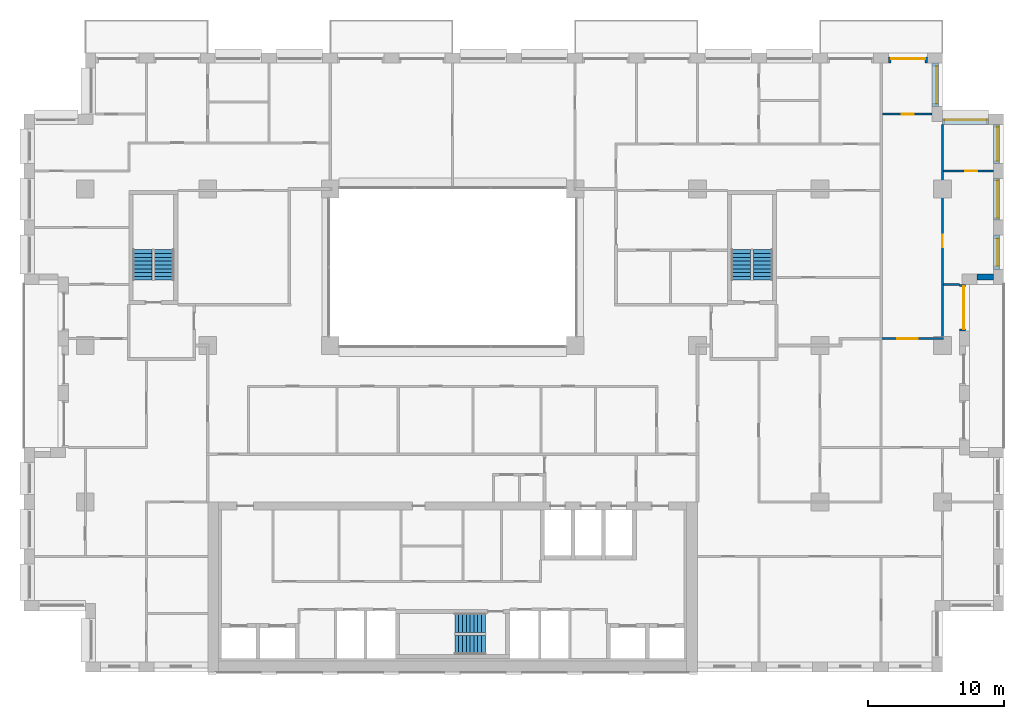
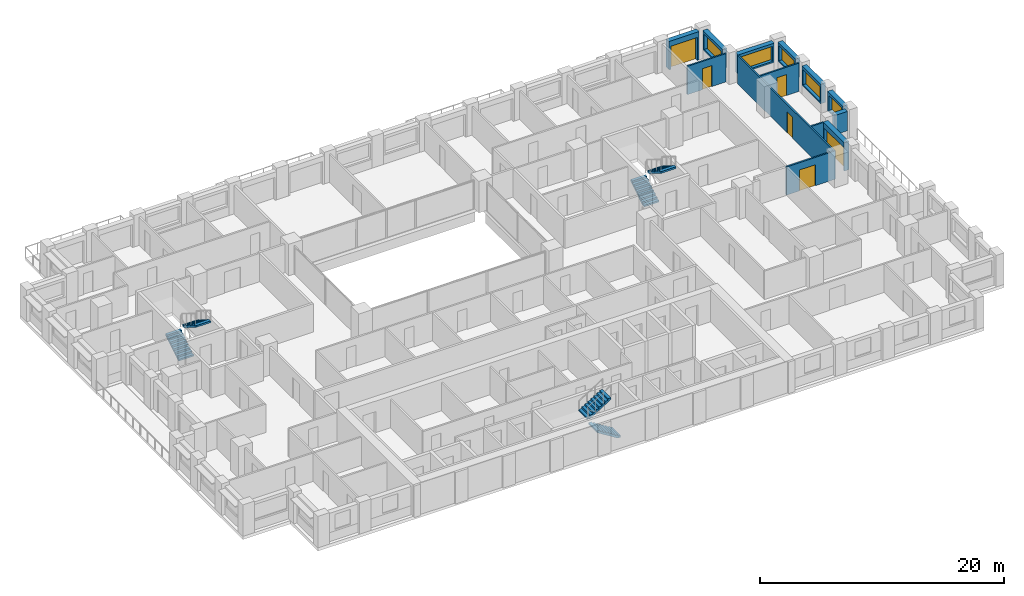
# One storey, part 15 of 16: 13 walls, 6 doors, 6 stair flights, 5 windows, 11 openings, 3 elements without a shape of their own.
"""IFC4 building model written with IfcOpenShell, lengths in metres."""

from ifc_helpers import new_model, si_unit, direction, frame, frame_2d, origin, place, context, subcontext, project, spatial, polyline, rectangle, outline, extrude, material, layer, layer_set, type_object, element, fill, aggregate, save


model = new_model("IFC4")

# Units and contexts
model_context = context("Model", 3, precision=1e-05, world=origin(), true_north=direction((0.0, 1.0)))
body_context = subcontext(model_context, "Body", "Model", "MODEL_VIEW")
ifc_project = project(units=[si_unit("LENGTHUNIT", "METRE"), si_unit("AREAUNIT", "SQUARE_METRE"), si_unit("VOLUMEUNIT", "CUBIC_METRE"), si_unit("PLANEANGLEUNIT", "RADIAN"), si_unit("MASSUNIT", "GRAM", prefix="KILO")], contexts=[model_context])

# Site, building, storey
site_placement = place(None, origin())
site = spatial("IfcSite", under=ifc_project, at=site_placement, CompositionType="ELEMENT")
building_placement = place(site_placement, origin())
building = spatial("IfcBuilding", under=site, at=building_placement, Name="Brigalow Station Residences", CompositionType="ELEMENT")
storey_placement = place(building_placement, frame((0.0, 0.0, 86.699951171875)))
storey = spatial("IfcBuildingStorey", under=building, at=storey_placement, Name="L24", CompositionType="ELEMENT", Elevation=86.699951171875)

# Wall, opening, door
ifc_material_1 = material(Name="Clay brick masonry", Category="masonry")
ifc_layer_1 = layer(ifc_material_1, 0.449951171875)
ifc_layer_set_1 = layer_set([ifc_layer_1], Name="BRICK INFILL WALL 450")
wall_type_1 = type_object("IfcWallType", Name="BRICK INFILL WALL 450", PredefinedType="SOLIDWALL", material=ifc_layer_set_1)
wall_1_placement = place(storey_placement, frame((73.47509765625, 25.050048828125, 0.0), z_axis=(0.0, 0.0, 1.0), x_axis=(0.0, 1.0, 0.0)))
wall_1 = element("IfcWall", 1, at=wall_1_placement, inside=storey, type_object=wall_type_1, Name="L24/ewall/W-L24-16", PredefinedType="SOLIDWALL", context=body_context, shape_type="SweptSolid", body=[
    extrude(rectangle(XDim=3.449951171875, YDim=0.449951171875, at=frame_2d((1.72509765625, 0.0))), origin(), (0.0, 0.0, 1.0), 2.830078125),
])
opening_1_placement = place(wall_1_placement, frame((0.14990234375, 0.0, 0.0)))
opening_1 = element("IfcOpeningElement", 2, at=opening_1_placement, cuts=wall_1, Name="Opening D-B3150", PredefinedType="OPENING", context=body_context, shape_type="SweptSolid", body=[
    extrude(rectangle(XDim=3.14990234375, YDim=2.300048828125, at=frame_2d((1.574951171875, 1.14990234375))), frame((0.0, 0.23486328125, 0.0), z_axis=(0.0, -1.0, 0.0), x_axis=(1.0, 0.0, 0.0)), (0.0, 0.0, 1.0), 0.469970703125),
])
ifc_material_2 = material(Name="Anodised aluminium frame with double glazing", Category="aluminium")
door_type_1 = type_object("IfcDoorType", Name="BALCONY SLIDING DOOR 3150x2300", OperationType="SLIDING_TO_LEFT", PredefinedType="DOOR", material=ifc_material_2)
door_1_placement = place(opening_1_placement, origin())
door_1 = element("IfcDoor", 3, at=door_1_placement, inside=storey, type_object=door_type_1, Name="L24/balcony-door/W-L24-16", OperationType="SLIDING_TO_LEFT", OverallHeight=2.300048828125, OverallWidth=3.14990234375, PredefinedType="DOOR", context=body_context, shape_type="SweptSolid", body=[
    extrude(rectangle(XDim=3.14990234375, YDim=2.300048828125, at=frame_2d((1.574951171875, 1.14990234375))), frame((0.0, -0.06982421875, 0.0), z_axis=(0.0, -1.0, 0.0), x_axis=(1.0, 0.0, 0.0)), (0.0, 0.0, 1.0), 0.050048828125),
])
fill(opening_1, door_1)

# Wall
wall_2_placement = place(storey_placement, frame((74.550048828125, 29.02490234375, 0.900146484375), z_axis=(0.0, 0.0, 1.0), x_axis=(1.0, 0.0, 0.0)))
element("IfcWall", 4, at=wall_2_placement, inside=storey, type_object=wall_type_1, Name="L24/ewall/W-L24-17", PredefinedType="SOLIDWALL", context=body_context, shape_type="SweptSolid", body=[
    extrude(rectangle(XDim=1.199951171875, YDim=0.449951171875, at=frame_2d((0.60009765625, 0.0))), origin(), (0.0, 0.0, 1.0), 1.929931640625),
])

# Wall, opening, window
wall_3_placement = place(storey_placement, frame((75.97509765625, 29.60009765625, 0.900146484375), z_axis=(0.0, 0.0, 1.0), x_axis=(0.0, 1.0, 0.0)))
wall_3 = element("IfcWall", 5, at=wall_3_placement, inside=storey, type_object=wall_type_1, Name="L24/ewall/W-L24-18", PredefinedType="SOLIDWALL", context=body_context, shape_type="SweptSolid", body=[
    extrude(rectangle(XDim=2.516845703125, YDim=0.449951171875, at=frame_2d((1.25830078125, 0.0))), origin(), (0.0, 0.0, 1.0), 1.929931640625),
])
opening_2_placement = place(wall_3_placement, frame((0.258544921875, 0.0, 0.14990234375)))
opening_2 = element("IfcOpeningElement", 6, at=opening_2_placement, cuts=wall_3, Name="Opening WT-7", PredefinedType="OPENING", context=body_context, shape_type="SweptSolid", body=[
    extrude(rectangle(XDim=2.0, YDim=1.5, at=frame_2d((1.0, 0.75))), frame((0.0, 0.23486328125, 0.0), z_axis=(0.0, -1.0, 0.0), x_axis=(1.0, 0.0, 0.0)), (0.0, 0.0, 1.0), 0.469970703125),
])
ifc_material_3 = material(Name="Anodised aluminium frame with double glazing", Category="aluminium")
window_type_1 = type_object("IfcWindowType", Name="WINDOW 2000x1500", PartitioningType="SINGLE_PANEL", PredefinedType="WINDOW", material=ifc_material_3)
window_1_placement = place(opening_2_placement, origin())
window_1 = element("IfcWindow", 7, at=window_1_placement, inside=storey, type_object=window_type_1, Name="L24/window/W-L24-18", OverallHeight=1.5, OverallWidth=2.0, PartitioningType="SINGLE_PANEL", PredefinedType="WINDOW", context=body_context, shape_type="SweptSolid", body=[
    extrude(rectangle(XDim=2.0, YDim=1.5, at=frame_2d((1.0, 0.75))), frame((0.0, -0.06494140625, 0.0), z_axis=(0.0, -1.0, 0.0), x_axis=(1.0, 0.0, 0.0)), (0.0, 0.0, 1.0), 0.06005859375),
])
fill(opening_2, window_1)

wall_4_placement = place(storey_placement, frame((75.97509765625, 33.217041015625, 0.900146484375), z_axis=(0.0, 0.0, 1.0), x_axis=(0.0, 1.0, 0.0)))
wall_4 = element("IfcWall", 8, at=wall_4_placement, inside=storey, type_object=wall_type_1, Name="L24/ewall/W-L24-19", PredefinedType="SOLIDWALL", context=body_context, shape_type="SweptSolid", body=[
    extrude(rectangle(XDim=3.06591796875, YDim=0.449951171875, at=frame_2d((1.532958984375, 0.0))), origin(), (0.0, 0.0, 1.0), 1.929931640625),
])
opening_3_placement = place(wall_4_placement, frame((0.157958984375, 0.0, 0.14990234375)))
opening_3 = element("IfcOpeningElement", 9, at=opening_3_placement, cuts=wall_4, Name="Opening WT-3", PredefinedType="OPENING", context=body_context, shape_type="SweptSolid", body=[
    extrude(rectangle(XDim=2.75, YDim=1.5, at=frame_2d((1.375, 0.75))), frame((0.0, 0.23486328125, 0.0), z_axis=(0.0, -1.0, 0.0), x_axis=(1.0, 0.0, 0.0)), (0.0, 0.0, 1.0), 0.469970703125),
])
ifc_material_4 = material(Name="Anodised aluminium frame with double glazing", Category="aluminium")
window_type_2 = type_object("IfcWindowType", Name="WINDOW 2750x1500", PartitioningType="SINGLE_PANEL", PredefinedType="WINDOW", material=ifc_material_4)
window_2_placement = place(opening_3_placement, origin())
window_2 = element("IfcWindow", 10, at=window_2_placement, inside=storey, type_object=window_type_2, Name="L24/window/W-L24-19", OverallHeight=1.5, OverallWidth=2.75, PartitioningType="SINGLE_PANEL", PredefinedType="WINDOW", context=body_context, shape_type="SweptSolid", body=[
    extrude(rectangle(XDim=2.75, YDim=1.5, at=frame_2d((1.375, 0.75))), frame((0.0, -0.06494140625, 0.0), z_axis=(0.0, -1.0, 0.0), x_axis=(1.0, 0.0, 0.0)), (0.0, 0.0, 1.0), 0.06005859375),
])
fill(opening_3, window_2)

wall_5_placement = place(storey_placement, frame((75.97509765625, 37.383056640625, 0.900146484375), z_axis=(0.0, 0.0, 1.0), x_axis=(0.0, 1.0, 0.0)))
wall_5 = element("IfcWall", 11, at=wall_5_placement, inside=storey, type_object=wall_type_1, Name="L24/ewall/W-L24-20", PredefinedType="SOLIDWALL", context=body_context, shape_type="SweptSolid", body=[
    extrude(rectangle(XDim=2.866943359375, YDim=0.449951171875, at=frame_2d((1.43359375, 0.0))), origin(), (0.0, 0.0, 1.0), 1.929931640625),
])
opening_4_placement = place(wall_5_placement, frame((0.18359375, 0.0, 0.14990234375)))
opening_4 = element("IfcOpeningElement", 12, at=opening_4_placement, cuts=wall_5, Name="Opening WT-5", PredefinedType="OPENING", context=body_context, shape_type="SweptSolid", body=[
    extrude(rectangle(XDim=2.5, YDim=1.5, at=frame_2d((1.25, 0.75))), frame((0.0, 0.23486328125, 0.0), z_axis=(0.0, -1.0, 0.0), x_axis=(1.0, 0.0, 0.0)), (0.0, 0.0, 1.0), 0.469970703125),
])
ifc_material_5 = material(Name="Anodised aluminium frame with double glazing", Category="aluminium")
window_type_3 = type_object("IfcWindowType", Name="WINDOW 2500x1500", PartitioningType="SINGLE_PANEL", PredefinedType="WINDOW", material=ifc_material_5)
window_3_placement = place(opening_4_placement, origin())
window_3 = element("IfcWindow", 13, at=window_3_placement, inside=storey, type_object=window_type_3, Name="L24/window/W-L24-20", OverallHeight=1.5, OverallWidth=2.5, PartitioningType="SINGLE_PANEL", PredefinedType="WINDOW", context=body_context, shape_type="SweptSolid", body=[
    extrude(rectangle(XDim=2.5, YDim=1.5, at=frame_2d((1.25, 0.75))), frame((0.0, -0.06494140625, 0.0), z_axis=(0.0, -1.0, 0.0), x_axis=(1.0, 0.0, 0.0)), (0.0, 0.0, 1.0), 0.06005859375),
])
fill(opening_4, window_3)

wall_6_placement = place(storey_placement, frame((75.39990234375, 40.47509765625, 0.900146484375), z_axis=(0.0, 0.0, 1.0), x_axis=(-1.0, 0.0, 0.0)))
wall_6 = element("IfcWall", 14, at=wall_6_placement, inside=storey, type_object=wall_type_1, Name="L24/ewall/W-L24-21", PredefinedType="SOLIDWALL", context=body_context, shape_type="SweptSolid", body=[
    extrude(rectangle(XDim=3.39990234375, YDim=0.449951171875, at=frame_2d((1.699951171875, 0.0))), origin(), (0.0, 0.0, 1.0), 1.929931640625),
])
opening_5_placement = place(wall_6_placement, frame((0.14990234375, 0.0, 0.14990234375)))
opening_5 = element("IfcOpeningElement", 15, at=opening_5_placement, cuts=wall_6, Name="Opening WT-8", PredefinedType="OPENING", context=body_context, shape_type="SweptSolid", body=[
    extrude(rectangle(XDim=3.10009765625, YDim=1.5, at=frame_2d((1.550048828125, 0.75))), frame((0.0, 0.23486328125, 0.0), z_axis=(0.0, -1.0, 0.0), x_axis=(1.0, 0.0, 0.0)), (0.0, 0.0, 1.0), 0.469970703125),
])
ifc_material_6 = material(Name="Anodised aluminium frame with double glazing", Category="aluminium")
window_type_4 = type_object("IfcWindowType", Name="WINDOW 3100x1500", PartitioningType="SINGLE_PANEL", PredefinedType="WINDOW", material=ifc_material_6)
window_4_placement = place(opening_5_placement, origin())
window_4 = element("IfcWindow", 16, at=window_4_placement, inside=storey, type_object=window_type_4, Name="L24/window/W-L24-21", OverallHeight=1.5, OverallWidth=3.10009765625, PartitioningType="SINGLE_PANEL", PredefinedType="WINDOW", context=body_context, shape_type="SweptSolid", body=[
    extrude(rectangle(XDim=3.10009765625, YDim=1.5, at=frame_2d((1.550048828125, 0.75))), frame((0.0, -0.06494140625, 0.0), z_axis=(0.0, -1.0, 0.0), x_axis=(1.0, 0.0, 0.0)), (0.0, 0.0, 1.0), 0.06005859375),
])
fill(opening_5, window_4)

wall_7_placement = place(storey_placement, frame((71.47509765625, 41.550048828125, 0.900146484375), z_axis=(0.0, 0.0, 1.0), x_axis=(0.0, 1.0, 0.0)))
wall_7 = element("IfcWall", 17, at=wall_7_placement, inside=storey, type_object=wall_type_1, Name="L24/ewall/W-L24-22", PredefinedType="SOLIDWALL", context=body_context, shape_type="SweptSolid", body=[
    extrude(rectangle(XDim=3.199951171875, YDim=0.449951171875, at=frame_2d((1.60009765625, 0.0))), origin(), (0.0, 0.0, 1.0), 1.929931640625),
])
opening_6_placement = place(wall_7_placement, frame((0.22509765625, 0.0, 0.14990234375)))
opening_6 = element("IfcOpeningElement", 18, at=opening_6_placement, cuts=wall_7, Name="Opening WT-3", PredefinedType="OPENING", context=body_context, shape_type="SweptSolid", body=[
    extrude(rectangle(XDim=2.75, YDim=1.5, at=frame_2d((1.375, 0.75))), frame((0.0, 0.23486328125, 0.0), z_axis=(0.0, -1.0, 0.0), x_axis=(1.0, 0.0, 0.0)), (0.0, 0.0, 1.0), 0.469970703125),
])
window_5_placement = place(opening_6_placement, origin())
window_5 = element("IfcWindow", 19, at=window_5_placement, inside=storey, type_object=window_type_2, Name="L24/window/W-L24-22", OverallHeight=1.5, OverallWidth=2.75, PartitioningType="SINGLE_PANEL", PredefinedType="WINDOW", context=body_context, shape_type="SweptSolid", body=[
    extrude(rectangle(XDim=2.75, YDim=1.5, at=frame_2d((1.375, 0.75))), frame((0.0, -0.06494140625, 0.0), z_axis=(0.0, -1.0, 0.0), x_axis=(1.0, 0.0, 0.0)), (0.0, 0.0, 1.0), 0.06005859375),
])
fill(opening_6, window_5)

# Wall, opening, door
wall_8_placement = place(storey_placement, frame((70.89990234375, 44.97509765625, 0.0), z_axis=(0.0, 0.0, 1.0), x_axis=(-1.0, 0.0, 0.0)))
wall_8 = element("IfcWall", 20, at=wall_8_placement, inside=storey, type_object=wall_type_1, Name="L24/ewall/W-L24-23", PredefinedType="SOLIDWALL", context=body_context, shape_type="SweptSolid", body=[
    extrude(rectangle(XDim=2.849853515625, YDim=0.449951171875, at=frame_2d((1.4248046875, 0.0))), origin(), (0.0, 0.0, 1.0), 2.830078125),
])
opening_7_placement = place(wall_8_placement, frame((0.175048828125, 0.0, 0.0)))
opening_7 = element("IfcOpeningElement", 21, at=opening_7_placement, cuts=wall_8, Name="Opening D-B2500", PredefinedType="OPENING", context=body_context, shape_type="SweptSolid", body=[
    extrude(rectangle(XDim=2.5, YDim=2.300048828125, at=frame_2d((1.25, 1.14990234375))), frame((0.0, 0.23486328125, 0.0), z_axis=(0.0, -1.0, 0.0), x_axis=(1.0, 0.0, 0.0)), (0.0, 0.0, 1.0), 0.469970703125),
])
ifc_material_7 = material(Name="Anodised aluminium frame with double glazing", Category="aluminium")
door_type_2 = type_object("IfcDoorType", Name="BALCONY SLIDING DOOR 2500x2300", OperationType="SLIDING_TO_LEFT", PredefinedType="DOOR", material=ifc_material_7)
door_2_placement = place(opening_7_placement, origin())
door_2 = element("IfcDoor", 22, at=door_2_placement, inside=storey, type_object=door_type_2, Name="L24/balcony-door/W-L24-23", OperationType="SLIDING_TO_LEFT", OverallHeight=2.300048828125, OverallWidth=2.5, PredefinedType="DOOR", context=body_context, shape_type="SweptSolid", body=[
    extrude(rectangle(XDim=2.5, YDim=2.300048828125, at=frame_2d((1.25, 1.14990234375))), frame((0.0, -0.06982421875, 0.0), z_axis=(0.0, -1.0, 0.0), x_axis=(1.0, 0.0, 0.0)), (0.0, 0.0, 1.0), 0.050048828125),
])
fill(opening_7, door_2)

ifc_material_8 = material(Name="Plasterboard on steel stud partition", Category="steel")
ifc_layer_2 = layer(ifc_material_8, 0.14990234375)
ifc_layer_set_2 = layer_set([ifc_layer_2], Name="FLAT PARTITION 150")
wall_type_2 = type_object("IfcWallType", Name="FLAT PARTITION 150", PredefinedType="PARTITIONING", material=ifc_layer_set_2)
wall_9_placement = place(storey_placement, frame((67.425048828125, 24.5, 0.0), z_axis=(0.0, 0.0, 1.0), x_axis=(1.0, 0.0, 0.0)))
wall_9 = element("IfcWall", 23, at=wall_9_placement, inside=storey, type_object=wall_type_2, Name="PW-2A20", PredefinedType="PARTITIONING", context=body_context, shape_type="SweptSolid", body=[
    extrude(rectangle(XDim=4.64990234375, YDim=0.14990234375, at=frame_2d((2.324951171875, 0.0))), origin(), (0.0, 0.0, 1.0), 2.830078125),
])
opening_8_placement = place(wall_9_placement, frame((1.25, 0.0, 0.0)))
opening_8 = element("IfcOpeningElement", 24, at=opening_8_placement, cuts=wall_9, Name="Opening D-2A45", PredefinedType="OPENING", context=body_context, shape_type="SweptSolid", body=[
    extrude(rectangle(XDim=1.5, YDim=2.10009765625, at=frame_2d((0.75, 1.050048828125))), frame((0.0, 0.0849609375, 0.0), z_axis=(0.0, -1.0, 0.0), x_axis=(1.0, 0.0, 0.0)), (0.0, 0.0, 1.0), 0.169921875),
])
ifc_material_9 = material(Name="Solid-core timber door leaf", Category="wood")
door_type_3 = type_object("IfcDoorType", Name="INTERNAL DOUBLE DOOR 1500 x 2100", OperationType="DOUBLE_DOOR_SINGLE_SWING", PredefinedType="DOOR", material=ifc_material_9)
door_3_placement = place(opening_8_placement, frame((1.5, 0.0, 0.0), z_axis=(0.0, 0.0, 1.0), x_axis=(-1.0, 0.0, 0.0)))
door_3 = element("IfcDoor", 25, at=door_3_placement, inside=storey, type_object=door_type_3, Name="D-2A45", OperationType="DOUBLE_DOOR_SINGLE_SWING", OverallHeight=2.10009765625, OverallWidth=1.5, PredefinedType="DOOR", context=body_context, shape_type="SweptSolid", body=[
    extrude(rectangle(XDim=1.5, YDim=2.10009765625, at=frame_2d((0.75, 1.050048828125))), frame((0.0, 0.02490234375, 0.0), z_axis=(0.0, -1.0, 0.0), x_axis=(1.0, 0.0, 0.0)), (0.0, 0.0, 1.0), 0.050048828125),
])
fill(opening_8, door_3)

# Wall
wall_10_placement = place(storey_placement, frame((72.074951171875, 28.5, 0.0), z_axis=(0.0, 0.0, 1.0), x_axis=(1.0, 0.0, 0.0)))
element("IfcWall", 26, at=wall_10_placement, inside=storey, type_object=wall_type_2, Name="PW-2A23", PredefinedType="PARTITIONING", context=body_context, shape_type="SweptSolid", body=[
    extrude(rectangle(XDim=1.175048828125, YDim=0.14990234375, at=frame_2d((0.58740234375, 0.0))), origin(), (0.0, 0.0, 1.0), 2.830078125),
])

# Wall, opening, door
wall_11_placement = place(storey_placement, frame((72.074951171875, 36.8330078125, 0.0), z_axis=(0.0, 0.0, 1.0), x_axis=(1.0, 0.0, 0.0)))
wall_11 = element("IfcWall", 27, at=wall_11_placement, inside=storey, type_object=wall_type_2, Name="PW-2A26", PredefinedType="PARTITIONING", context=body_context, shape_type="SweptSolid", body=[
    extrude(rectangle(XDim=3.675048828125, YDim=0.14990234375, at=frame_2d((1.83740234375, 0.0))), origin(), (0.0, 0.0, 1.0), 2.830078125),
])
opening_9_placement = place(wall_11_placement, frame((1.60009765625, 0.0, 0.0)))
opening_9 = element("IfcOpeningElement", 28, at=opening_9_placement, cuts=wall_11, Name="Opening D-2A47", PredefinedType="OPENING", context=body_context, shape_type="SweptSolid", body=[
    extrude(rectangle(XDim=0.89990234375, YDim=2.10009765625, at=frame_2d((0.449951171875, 1.050048828125))), frame((0.0, 0.0849609375, 0.0), z_axis=(0.0, -1.0, 0.0), x_axis=(1.0, 0.0, 0.0)), (0.0, 0.0, 1.0), 0.169921875),
])
ifc_material_10 = material(Name="Solid-core timber door leaf", Category="wood")
door_type_4 = type_object("IfcDoorType", Name="INTERNAL DOOR 900 x 2100", OperationType="SINGLE_SWING_LEFT", PredefinedType="DOOR", material=ifc_material_10)
door_4_placement = place(opening_9_placement, origin())
door_4 = element("IfcDoor", 29, at=door_4_placement, inside=storey, type_object=door_type_4, Name="D-2A47", OperationType="SINGLE_SWING_RIGHT", OverallHeight=2.10009765625, OverallWidth=0.89990234375, PredefinedType="DOOR", context=body_context, shape_type="SweptSolid", body=[
    extrude(rectangle(XDim=0.89990234375, YDim=2.10009765625, at=frame_2d((0.449951171875, 1.050048828125))), frame((0.0, 0.02490234375, 0.0), z_axis=(0.0, -1.0, 0.0), x_axis=(1.0, 0.0, 0.0)), (0.0, 0.0, 1.0), 0.050048828125),
])
fill(opening_9, door_4)

wall_12_placement = place(storey_placement, frame((67.60009765625, 41.0, 0.0), z_axis=(0.0, 0.0, 1.0), x_axis=(1.0, 0.0, 0.0)))
wall_12 = element("IfcWall", 30, at=wall_12_placement, inside=storey, type_object=wall_type_2, Name="PW-2A32", PredefinedType="PARTITIONING", context=body_context, shape_type="SweptSolid", body=[
    extrude(rectangle(XDim=3.64990234375, YDim=0.14990234375, at=frame_2d((1.824951171875, 0.0))), origin(), (0.0, 0.0, 1.0), 2.830078125),
])
opening_10_placement = place(wall_12_placement, frame((1.39990234375, 0.0, 0.0)))
opening_10 = element("IfcOpeningElement", 31, at=opening_10_placement, cuts=wall_12, Name="Opening D-2A48", PredefinedType="OPENING", context=body_context, shape_type="SweptSolid", body=[
    extrude(rectangle(XDim=0.89990234375, YDim=2.10009765625, at=frame_2d((0.449951171875, 1.050048828125))), frame((0.0, 0.0849609375, 0.0), z_axis=(0.0, -1.0, 0.0), x_axis=(1.0, 0.0, 0.0)), (0.0, 0.0, 1.0), 0.169921875),
])
door_5_placement = place(opening_10_placement, origin())
door_5 = element("IfcDoor", 32, at=door_5_placement, inside=storey, type_object=door_type_4, Name="D-2A48", OperationType="SINGLE_SWING_RIGHT", OverallHeight=2.10009765625, OverallWidth=0.89990234375, PredefinedType="DOOR", context=body_context, shape_type="SweptSolid", body=[
    extrude(rectangle(XDim=0.89990234375, YDim=2.10009765625, at=frame_2d((0.449951171875, 1.050048828125))), frame((0.0, 0.02490234375, 0.0), z_axis=(0.0, -1.0, 0.0), x_axis=(1.0, 0.0, 0.0)), (0.0, 0.0, 1.0), 0.050048828125),
])
fill(opening_10, door_5)

wall_13_placement = place(storey_placement, frame((72.0, 24.574951171875, 0.0), z_axis=(0.0, 0.0, 1.0), x_axis=(0.0, 1.0, 0.0)))
wall_13 = element("IfcWall", 33, at=wall_13_placement, inside=storey, type_object=wall_type_2, Name="PW-2A71", PredefinedType="PARTITIONING", context=body_context, shape_type="SweptSolid", body=[
    extrude(rectangle(XDim=15.675048828125, YDim=0.14990234375, at=frame_2d((7.83740234375, 0.0))), origin(), (0.0, 0.0, 1.0), 2.830078125),
])
opening_11_placement = place(wall_13_placement, frame((6.64990234375, 0.0, 0.0)))
opening_11 = element("IfcOpeningElement", 34, at=opening_11_placement, cuts=wall_13, Name="Opening D-2A46", PredefinedType="OPENING", context=body_context, shape_type="SweptSolid", body=[
    extrude(rectangle(XDim=0.89990234375, YDim=2.10009765625, at=frame_2d((0.449951171875, 1.050048828125))), frame((0.0, 0.0849609375, 0.0), z_axis=(0.0, -1.0, 0.0), x_axis=(1.0, 0.0, 0.0)), (0.0, 0.0, 1.0), 0.169921875),
])
door_6_placement = place(opening_11_placement, frame((0.89990234375, 0.0, 0.0), z_axis=(0.0, 0.0, 1.0), x_axis=(-1.0, 0.0, 0.0)))
door_6 = element("IfcDoor", 35, at=door_6_placement, inside=storey, type_object=door_type_4, Name="D-2A46", OperationType="SINGLE_SWING_RIGHT", OverallHeight=2.10009765625, OverallWidth=0.89990234375, PredefinedType="DOOR", context=body_context, shape_type="SweptSolid", body=[
    extrude(rectangle(XDim=0.89990234375, YDim=2.10009765625, at=frame_2d((0.449951171875, 1.050048828125))), frame((0.0, 0.02490234375, 0.0), z_axis=(0.0, -1.0, 0.0), x_axis=(1.0, 0.0, 0.0)), (0.0, 0.0, 1.0), 0.050048828125),
])
fill(opening_11, door_6)

# Stair, stair flights
ifc_material_11 = material(Name="Concrete C50", Category="concrete")
stair_type = type_object("IfcStairType", Name="EXIT STAIR 1400 2 FLIGHT", PredefinedType="HALF_TURN_STAIR", material=ifc_material_11)
stair_1_placement = place(storey_placement, origin())
stair_1 = element("IfcStair", 36, at=stair_1_placement, inside=storey, type_object=stair_type, Name="EXIT STAIR S2 L24", PredefinedType="HALF_TURN_STAIR")
ifc_material_12 = material(Name="Concrete C50", Category="concrete")
stair_flight_type = type_object("IfcStairFlightType", Name="STAIR FLIGHT 1400", PredefinedType="STRAIGHT", material=ifc_material_12)
stair_flight_1_placement = place(storey_placement, frame((38.39990234375, 2.0, 0.0), z_axis=(0.0, 0.0, 1.0), x_axis=(-1.0, 0.0, 0.0)))
stair_flight_1 = element("IfcStairFlight", 37, at=stair_flight_1_placement, type_object=stair_flight_type, Name="ST-2 flight 1", NumberOfRisers=9, NumberOfTreads=8, PredefinedType="STRAIGHT", RiserHeight=0.175, TreadLength=0.28, context=body_context, shape_type="SweptSolid", body=[
    extrude(outline(polyline([(0.0, 0.0), (0.0, 0.175048828125), (0.280029296875, 0.175048828125), (0.280029296875, 0.35009765625), (0.56005859375, 0.35009765625), (0.56005859375, 0.52490234375), (0.840087890625, 0.52490234375), (0.840087890625, 0.699951171875), (1.1201171875, 0.699951171875), (1.1201171875, 0.875), (1.39990234375, 0.875), (1.39990234375, 1.050048828125), (1.679931640625, 1.050048828125), (1.679931640625, 1.22509765625), (1.9599609375, 1.22509765625), (1.9599609375, 1.39990234375), (2.239990234375, 1.39990234375), (2.239990234375, 1.574951171875), (2.239990234375, 1.22314453125), (0.28271484375, 0.0), (0.0, 0.0)])), frame((0.0, 0.699951171875, 0.0), z_axis=(0.0, -1.0, 0.0), x_axis=(1.0, 0.0, 0.0)), (0.0, 0.0, 1.0), 1.39990234375),
])
stair_flight_2_placement = place(storey_placement, frame((36.159912109375, 3.60009765625, 1.574951171875), z_axis=(0.0, 0.0, 1.0), x_axis=(1.0, 0.0, 0.0)))
stair_flight_2 = element("IfcStairFlight", 38, at=stair_flight_2_placement, type_object=stair_flight_type, Name="ST-2 flight 2", NumberOfRisers=9, NumberOfTreads=8, PredefinedType="STRAIGHT", RiserHeight=0.175, TreadLength=0.28, context=body_context, shape_type="SweptSolid", body=[
    extrude(outline(polyline([(0.0, 0.0), (0.0, 0.175048828125), (0.280029296875, 0.175048828125), (0.280029296875, 0.35009765625), (0.56005859375, 0.35009765625), (0.56005859375, 0.52490234375), (0.840087890625, 0.52490234375), (0.840087890625, 0.699951171875), (1.1201171875, 0.699951171875), (1.1201171875, 0.875), (1.39990234375, 0.875), (1.39990234375, 1.050048828125), (1.679931640625, 1.050048828125), (1.679931640625, 1.22509765625), (1.9599609375, 1.22509765625), (1.9599609375, 1.39990234375), (2.239990234375, 1.39990234375), (2.239990234375, 1.574951171875), (2.239990234375, 1.22314453125), (0.28271484375, 0.0), (0.0, 0.0)])), frame((0.0, 0.699951171875, 0.0), z_axis=(0.0, -1.0, 0.0), x_axis=(1.0, 0.0, 0.0)), (0.0, 0.0, 1.0), 1.39990234375),
])
aggregate(stair_1, [stair_flight_1, stair_flight_2])

stair_2_placement = place(storey_placement, origin())
stair_2 = element("IfcStair", 39, at=stair_2_placement, inside=storey, type_object=stair_type, Name="EXIT STAIR S1 L24", PredefinedType="HALF_TURN_STAIR")
stair_flight_3_placement = place(storey_placement, frame((13.199951171875, 28.800048828125, 0.0), z_axis=(0.0, 0.0, 1.0), x_axis=(0.0, 1.0, 0.0)))
stair_flight_3 = element("IfcStairFlight", 40, at=stair_flight_3_placement, type_object=stair_flight_type, Name="ST-1 flight 1", NumberOfRisers=9, NumberOfTreads=8, PredefinedType="STRAIGHT", RiserHeight=0.175, TreadLength=0.28, context=body_context, shape_type="SweptSolid", body=[
    extrude(outline(polyline([(0.0, 0.0), (0.0, 0.175048828125), (0.280029296875, 0.175048828125), (0.280029296875, 0.35009765625), (0.56005859375, 0.35009765625), (0.56005859375, 0.52490234375), (0.840087890625, 0.52490234375), (0.840087890625, 0.699951171875), (1.1201171875, 0.699951171875), (1.1201171875, 0.875), (1.39990234375, 0.875), (1.39990234375, 1.050048828125), (1.679931640625, 1.050048828125), (1.679931640625, 1.22509765625), (1.9599609375, 1.22509765625), (1.9599609375, 1.39990234375), (2.239990234375, 1.39990234375), (2.239990234375, 1.574951171875), (2.239990234375, 1.22314453125), (0.28271484375, 0.0), (0.0, 0.0)])), frame((0.0, 0.699951171875, 0.0), z_axis=(0.0, -1.0, 0.0), x_axis=(1.0, 0.0, 0.0)), (0.0, 0.0, 1.0), 1.39990234375),
])
stair_flight_4_placement = place(storey_placement, frame((14.800048828125, 31.0400390625, 1.574951171875), z_axis=(0.0, 0.0, 1.0), x_axis=(0.0, -1.0, 0.0)))
stair_flight_4 = element("IfcStairFlight", 41, at=stair_flight_4_placement, type_object=stair_flight_type, Name="ST-1 flight 2", NumberOfRisers=9, NumberOfTreads=8, PredefinedType="STRAIGHT", RiserHeight=0.175, TreadLength=0.28, context=body_context, shape_type="SweptSolid", body=[
    extrude(outline(polyline([(0.0, 0.0), (0.0, 0.175048828125), (0.280029296875, 0.175048828125), (0.280029296875, 0.35009765625), (0.56005859375, 0.35009765625), (0.56005859375, 0.52490234375), (0.840087890625, 0.52490234375), (0.840087890625, 0.699951171875), (1.1201171875, 0.699951171875), (1.1201171875, 0.875), (1.39990234375, 0.875), (1.39990234375, 1.050048828125), (1.679931640625, 1.050048828125), (1.679931640625, 1.22509765625), (1.9599609375, 1.22509765625), (1.9599609375, 1.39990234375), (2.239990234375, 1.39990234375), (2.239990234375, 1.574951171875), (2.239990234375, 1.22314453125), (0.28271484375, 0.0), (0.0, 0.0)])), frame((0.0, 0.699951171875, 0.0), z_axis=(0.0, -1.0, 0.0), x_axis=(1.0, 0.0, 0.0)), (0.0, 0.0, 1.0), 1.39990234375),
])
aggregate(stair_2, [stair_flight_3, stair_flight_4])

stair_3_placement = place(storey_placement, origin())
stair_3 = element("IfcStair", 42, at=stair_3_placement, inside=storey, type_object=stair_type, Name="EXIT STAIR S3 L24", PredefinedType="HALF_TURN_STAIR")
stair_flight_5_placement = place(storey_placement, frame((57.199951171875, 28.800048828125, 0.0), z_axis=(0.0, 0.0, 1.0), x_axis=(0.0, 1.0, 0.0)))
stair_flight_5 = element("IfcStairFlight", 43, at=stair_flight_5_placement, type_object=stair_flight_type, Name="ST-3 flight 1", NumberOfRisers=9, NumberOfTreads=8, PredefinedType="STRAIGHT", RiserHeight=0.175, TreadLength=0.28, context=body_context, shape_type="SweptSolid", body=[
    extrude(outline(polyline([(0.0, 0.0), (0.0, 0.175048828125), (0.280029296875, 0.175048828125), (0.280029296875, 0.35009765625), (0.56005859375, 0.35009765625), (0.56005859375, 0.52490234375), (0.840087890625, 0.52490234375), (0.840087890625, 0.699951171875), (1.1201171875, 0.699951171875), (1.1201171875, 0.875), (1.39990234375, 0.875), (1.39990234375, 1.050048828125), (1.679931640625, 1.050048828125), (1.679931640625, 1.22509765625), (1.9599609375, 1.22509765625), (1.9599609375, 1.39990234375), (2.239990234375, 1.39990234375), (2.239990234375, 1.574951171875), (2.239990234375, 1.22314453125), (0.28271484375, 0.0), (0.0, 0.0)])), frame((0.0, 0.699951171875, 0.0), z_axis=(0.0, -1.0, 0.0), x_axis=(1.0, 0.0, 0.0)), (0.0, 0.0, 1.0), 1.39990234375),
])
stair_flight_6_placement = place(storey_placement, frame((58.800048828125, 31.0400390625, 1.574951171875), z_axis=(0.0, 0.0, 1.0), x_axis=(0.0, -1.0, 0.0)))
stair_flight_6 = element("IfcStairFlight", 44, at=stair_flight_6_placement, type_object=stair_flight_type, Name="ST-3 flight 2", NumberOfRisers=9, NumberOfTreads=8, PredefinedType="STRAIGHT", RiserHeight=0.175, TreadLength=0.28, context=body_context, shape_type="SweptSolid", body=[
    extrude(outline(polyline([(0.0, 0.0), (0.0, 0.175048828125), (0.280029296875, 0.175048828125), (0.280029296875, 0.35009765625), (0.56005859375, 0.35009765625), (0.56005859375, 0.52490234375), (0.840087890625, 0.52490234375), (0.840087890625, 0.699951171875), (1.1201171875, 0.699951171875), (1.1201171875, 0.875), (1.39990234375, 0.875), (1.39990234375, 1.050048828125), (1.679931640625, 1.050048828125), (1.679931640625, 1.22509765625), (1.9599609375, 1.22509765625), (1.9599609375, 1.39990234375), (2.239990234375, 1.39990234375), (2.239990234375, 1.574951171875), (2.239990234375, 1.22314453125), (0.28271484375, 0.0), (0.0, 0.0)])), frame((0.0, 0.699951171875, 0.0), z_axis=(0.0, -1.0, 0.0), x_axis=(1.0, 0.0, 0.0)), (0.0, 0.0, 1.0), 1.39990234375),
])
aggregate(stair_3, [stair_flight_5, stair_flight_6])

save(model, "model.ifc")
